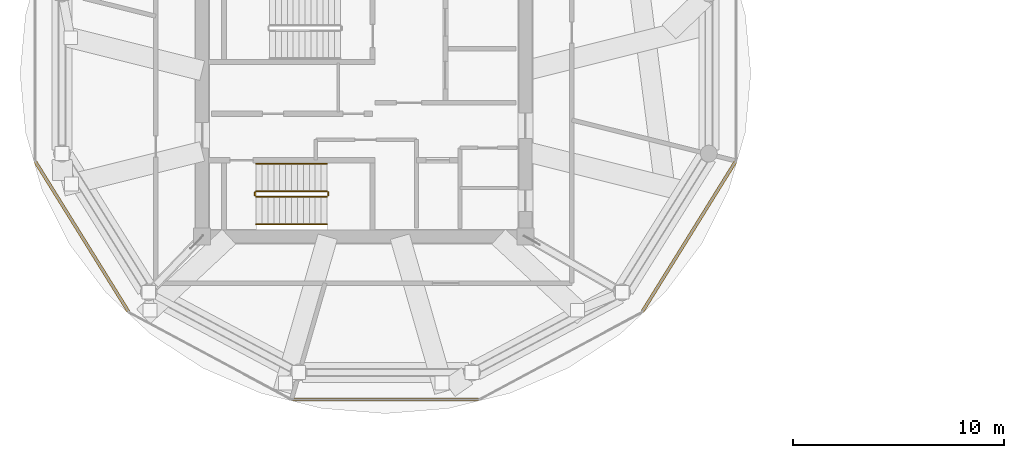
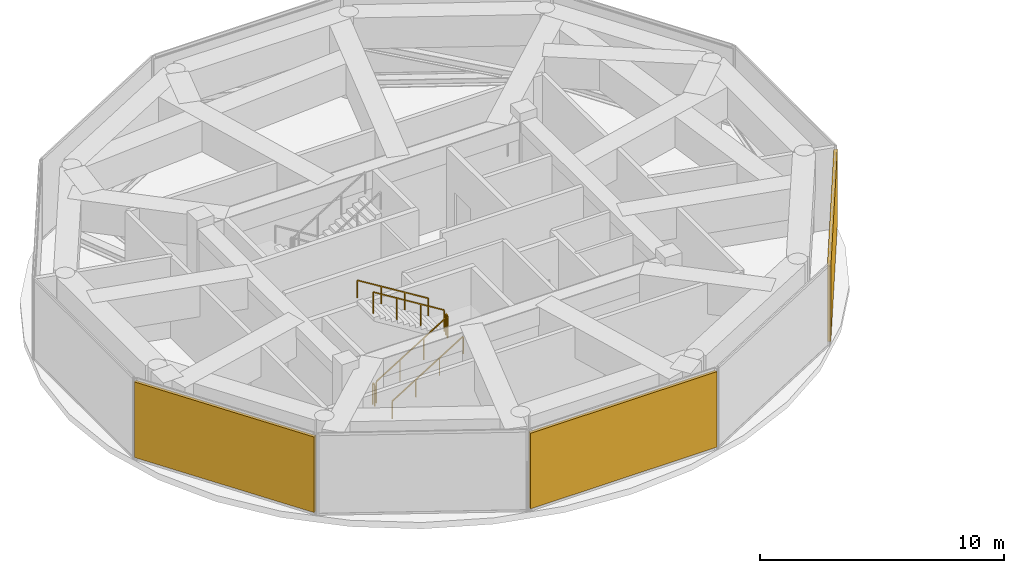
# One storey, part 17 of 20: 6 railings, 3 shading devices.
"""IFC4 building model written with IfcOpenShell, lengths in metres."""

from ifc_helpers import new_model, si_unit, direction, frame, origin, origin_2d, place, context, subcontext, project, spatial, rectangle, extrude, source, transform, mapped, material, type_object, type_shapes, element, save


model = new_model("IFC4")

# Units and contexts
model_context = context("Model", 3, precision=1e-05, world=origin(), true_north=direction((0.0, 1.0)))
body_context = subcontext(model_context, "Body", "Model", "MODEL_VIEW")
ifc_project = project(units=[si_unit("LENGTHUNIT", "METRE"), si_unit("AREAUNIT", "SQUARE_METRE"), si_unit("VOLUMEUNIT", "CUBIC_METRE"), si_unit("PLANEANGLEUNIT", "RADIAN"), si_unit("MASSUNIT", "GRAM", prefix="KILO")], contexts=[model_context])

# Site, building, storey
site_placement = place(None, origin())
site = spatial("IfcSite", under=ifc_project, at=site_placement, CompositionType="ELEMENT")
building_placement = place(site_placement, origin())
building = spatial("IfcBuilding", under=site, at=building_placement, Name="Norrkilde Senior Care Towers", CompositionType="ELEMENT")
storey_placement = place(building_placement, frame((0.0, 0.0, 186.14990234375)))
storey = spatial("IfcBuildingStorey", under=building, at=storey_placement, Name="L58", CompositionType="ELEMENT", Elevation=186.14990234375)

# Railings
ifc_material_1 = material(Name="Stainless Steel", Category="steel")
railing_type_1 = type_object("IfcRailingType", Name="Stair and Terrace Guardrail 1100", PredefinedType="GUARDRAIL", material=ifc_material_1)
railing_1_placement = place(storey_placement, frame((-33.10009765625, -4.050048828125, 0.173095703125)))
element("IfcRailing", 1, at=railing_1_placement, inside=storey, type_object=railing_type_1, Name="L58 ST-W2 stair guard 1", PredefinedType="GUARDRAIL", context=body_context, shape_type="SweptSolid", body=[
    extrude(rectangle(XDim=0.048095703125, YDim=0.048095703125, at=origin_2d()), frame((0.0, 0.0, 1.076171875), z_axis=(0.850623216509, 0.0, 0.525775754039), x_axis=(0.0, 1.0, 0.0)), (0.0, 0.0, 1.0), 3.9501953125),
    extrude(rectangle(XDim=0.0419921875, YDim=0.0419921875, at=origin_2d()), origin(), (0.0, 0.0, 1.0), 1.050048828125),
    extrude(rectangle(XDim=0.0419921875, YDim=0.0419921875, at=origin_2d()), frame((1.1201171875, 0.0, 0.6923828125)), (0.0, 0.0, 1.0), 1.050048828125),
    extrude(rectangle(XDim=0.0419921875, YDim=0.0419921875, at=origin_2d()), frame((2.239990234375, 0.0, 1.384521484375)), (0.0, 0.0, 1.0), 1.050048828125),
    extrude(rectangle(XDim=0.0419921875, YDim=0.0419921875, at=origin_2d()), frame((3.360107421875, 0.0, 2.076904296875)), (0.0, 0.0, 1.0), 1.050048828125),
])
railing_2_placement = place(storey_placement, frame((-29.68994140625, -4.0, 2.25)))
element("IfcRailing", 2, at=railing_2_placement, inside=storey, type_object=railing_type_1, Name="L58 ST-W2 stair guard 2", PredefinedType="GUARDRAIL", context=body_context, shape_type="SweptSolid", body=[
    extrude(rectangle(XDim=0.048095703125, YDim=0.048095703125, at=origin_2d()), frame((0.0, 0.0, 1.076171875), z_axis=(0.0, 1.0, 0.0), x_axis=(-1.0, 0.0, 0.0)), (0.0, 0.0, 1.0), 0.14990234375),
    extrude(rectangle(XDim=0.0419921875, YDim=0.0419921875, at=origin_2d()), origin(), (0.0, 0.0, 1.0), 1.050048828125),
    extrude(rectangle(XDim=0.0419921875, YDim=0.0419921875, at=origin_2d()), frame((0.0, 0.14990234375, 0.0)), (0.0, 0.0, 1.0), 1.050048828125),
])
railing_3_placement = place(storey_placement, frame((-29.739990234375, -3.800048828125, 2.423095703125)))
element("IfcRailing", 3, at=railing_3_placement, inside=storey, type_object=railing_type_1, Name="L58 ST-W2 stair guard 3", PredefinedType="GUARDRAIL", context=body_context, shape_type="SweptSolid", body=[
    extrude(rectangle(XDim=0.048095703125, YDim=0.048095703125, at=origin_2d()), frame((0.0, 0.0, 1.076171875), z_axis=(-0.850623216509, 0.0, 0.525775754039), x_axis=(0.0, -1.0, 0.0)), (0.0, 0.0, 1.0), 3.9501953125),
    extrude(rectangle(XDim=0.0419921875, YDim=0.0419921875, at=origin_2d()), origin(), (0.0, 0.0, 1.0), 1.050048828125),
    extrude(rectangle(XDim=0.0419921875, YDim=0.0419921875, at=origin_2d()), frame((-1.1201171875, 0.0, 0.6923828125)), (0.0, 0.0, 1.0), 1.050048828125),
    extrude(rectangle(XDim=0.0419921875, YDim=0.0419921875, at=origin_2d()), frame((-2.239990234375, 0.0, 1.384521484375)), (0.0, 0.0, 1.0), 1.050048828125),
    extrude(rectangle(XDim=0.0419921875, YDim=0.0419921875, at=origin_2d()), frame((-3.360107421875, 0.0, 2.076904296875)), (0.0, 0.0, 1.0), 1.050048828125),
])
railing_4_placement = place(storey_placement, frame((-33.14990234375, -4.0, 0.0)))
element("IfcRailing", 4, at=railing_4_placement, inside=storey, type_object=railing_type_1, Name="L58 ST-W2 stair guard 4", PredefinedType="GUARDRAIL", context=body_context, shape_type="SweptSolid", body=[
    extrude(rectangle(XDim=0.048095703125, YDim=0.048095703125, at=origin_2d()), frame((0.0, 0.0, 1.076171875), z_axis=(0.0, 1.0, 0.0), x_axis=(-1.0, 0.0, 0.0)), (0.0, 0.0, 1.0), 0.14990234375),
    extrude(rectangle(XDim=0.0419921875, YDim=0.0419921875, at=origin_2d()), origin(), (0.0, 0.0, 1.0), 1.050048828125),
    extrude(rectangle(XDim=0.0419921875, YDim=0.0419921875, at=origin_2d()), frame((0.0, 0.14990234375, 0.0)), (0.0, 0.0, 1.0), 1.050048828125),
])
ifc_material_2 = material(Name="Nordic Ash Timber", Category="wood")
railing_type_2 = type_object("IfcRailingType", Name="Wall and Stair Handrail 900", PredefinedType="HANDRAIL", material=ifc_material_2)
railing_5_placement = place(storey_placement, frame((-33.10009765625, -5.35009765625, 0.173095703125)))
element("IfcRailing", 5, at=railing_5_placement, inside=storey, type_object=railing_type_2, Name="L58 ST-W2 stair handrail 1", PredefinedType="HANDRAIL", context=body_context, shape_type="SweptSolid", body=[
    extrude(rectangle(XDim=0.048095703125, YDim=0.048095703125, at=origin_2d()), frame((0.0, 0.0, 0.8759765625), z_axis=(0.850623216509, 0.0, 0.525775754039), x_axis=(0.0, 1.0, 0.0)), (0.0, 0.0, 1.0), 3.9501953125),
    extrude(rectangle(XDim=0.0419921875, YDim=0.0419921875, at=origin_2d()), origin(), (0.0, 0.0, 1.0), 0.849853515625),
    extrude(rectangle(XDim=0.0419921875, YDim=0.0419921875, at=origin_2d()), frame((1.1201171875, 0.0, 0.6923828125)), (0.0, 0.0, 1.0), 0.849853515625),
    extrude(rectangle(XDim=0.0419921875, YDim=0.0419921875, at=origin_2d()), frame((2.239990234375, 0.0, 1.384521484375)), (0.0, 0.0, 1.0), 0.849853515625),
    extrude(rectangle(XDim=0.0419921875, YDim=0.0419921875, at=origin_2d()), frame((3.360107421875, 0.0, 2.076904296875)), (0.0, 0.0, 1.0), 0.849853515625),
])
railing_6_placement = place(storey_placement, frame((-29.739990234375, -2.5, 2.423095703125)))
element("IfcRailing", 6, at=railing_6_placement, inside=storey, type_object=railing_type_2, Name="L58 ST-W2 stair handrail 2", PredefinedType="HANDRAIL", context=body_context, shape_type="SweptSolid", body=[
    extrude(rectangle(XDim=0.048095703125, YDim=0.048095703125, at=origin_2d()), frame((0.0, 0.0, 0.8759765625), z_axis=(-0.850623216509, 0.0, 0.525775754039), x_axis=(0.0, -1.0, 0.0)), (0.0, 0.0, 1.0), 3.9501953125),
    extrude(rectangle(XDim=0.0419921875, YDim=0.0419921875, at=origin_2d()), origin(), (0.0, 0.0, 1.0), 0.849853515625),
    extrude(rectangle(XDim=0.0419921875, YDim=0.0419921875, at=origin_2d()), frame((-1.1201171875, 0.0, 0.6923828125)), (0.0, 0.0, 1.0), 0.849853515625),
    extrude(rectangle(XDim=0.0419921875, YDim=0.0419921875, at=origin_2d()), frame((-2.239990234375, 0.0, 1.384521484375)), (0.0, 0.0, 1.0), 0.849853515625),
    extrude(rectangle(XDim=0.0419921875, YDim=0.0419921875, at=origin_2d()), frame((-3.360107421875, 0.0, 2.076904296875)), (0.0, 0.0, 1.0), 0.849853515625),
])

# Shading devices
ifc_material_3 = material(Name="Anodised Aluminium", Category="aluminium")
shading_device_type = type_object("IfcShadingDeviceType", Name="Plant and Crown Acoustic Louvre Screen", PredefinedType="JALOUSIE", material=ifc_material_3)
shared_shape_1 = source(origin(), body_context, "Body", "SweptSolid", [
    extrude(rectangle(XDim=8.351318359375, YDim=0.14990234375, at=origin_2d()), origin(), (0.0, 0.0, 1.0), 3.780029296875),
])
for number, where, z_axis, x_axis, name in (
    (7, (-41.346435546875, -5.9423828125, 0.14990234375), (0.0, 0.0, 1.0), (-0.52737270789, 0.84963405474, 0.0), "L58 Plant Acoustic Louvre Screen W-06"),
    (8, (-12.603759765625, -5.9423828125, 0.14990234375), (0.0, 0.0, 1.0), (-0.52737270789, -0.84963405474, 0.0), "L58 Plant Acoustic Louvre Screen W-10"),
):
    element("IfcShadingDevice", number, at=place(storey_placement, frame(where, z_axis=z_axis, x_axis=x_axis)), inside=storey, type_object=shading_device_type, Name=name, PredefinedType="JALOUSIE", context=body_context, shape_type="MappedRepresentation", body=[
        mapped(shared_shape_1, transform((0.0, 0.0, 0.0), x_axis=(1.0, 0.0, 0.0), y_axis=(0.0, 1.0, 0.0), z_axis=(0.0, 0.0, 1.0), scale=1.0)),
    ])
shared_shape_2 = source(origin(), body_context, "Body", "SweptSolid", [
    extrude(rectangle(XDim=8.81298828125, YDim=0.14990234375, at=origin_2d()), origin(), (0.0, 0.0, 1.0), 3.780029296875),
])
type_shapes(shading_device_type, [shared_shape_1, shared_shape_2])
shading_device_placement = place(storey_placement, frame((-26.97509765625, -13.66015625, 0.14990234375), z_axis=(0.0, 0.0, 1.0), x_axis=(-1.0, 0.0, 0.0)))
element("IfcShadingDevice", 9, at=shading_device_placement, inside=storey, type_object=shading_device_type, Name="L58 Plant Acoustic Louvre Screen W-08", PredefinedType="JALOUSIE", context=body_context, shape_type="MappedRepresentation", body=[
    mapped(shared_shape_2, transform((0.0, 0.0, 0.0), x_axis=(1.0, 0.0, 0.0), y_axis=(0.0, 1.0, 0.0), z_axis=(0.0, 0.0, 1.0), scale=1.0)),
])

save(model, "model.ifc")
